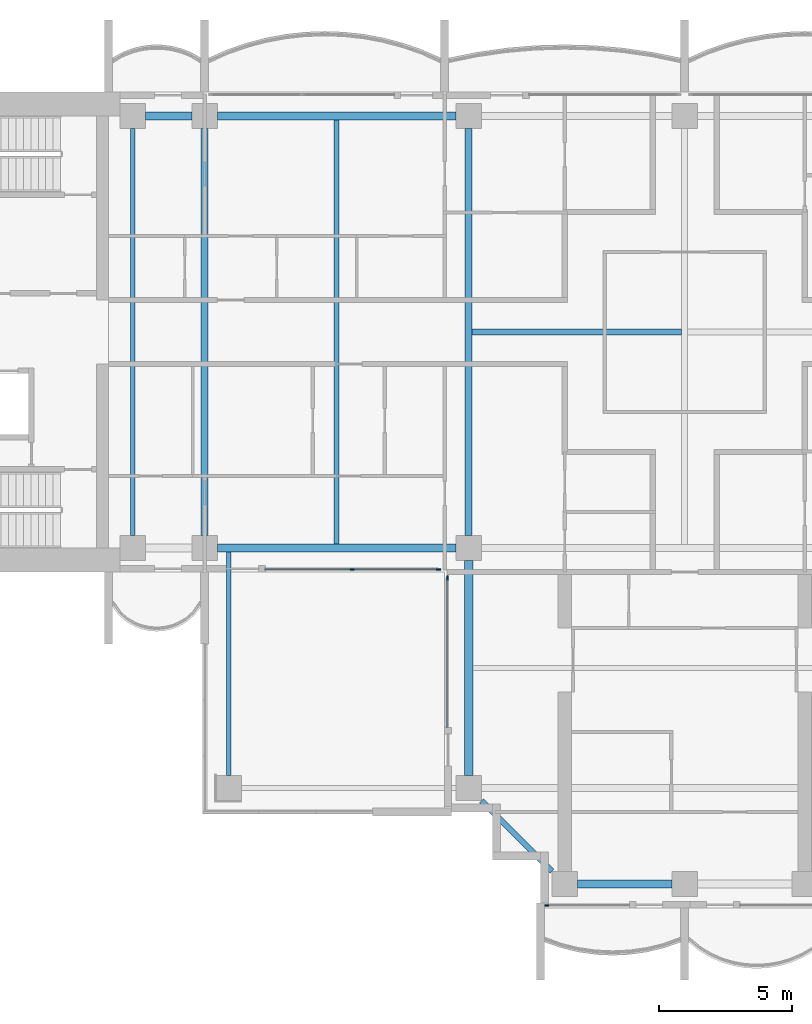
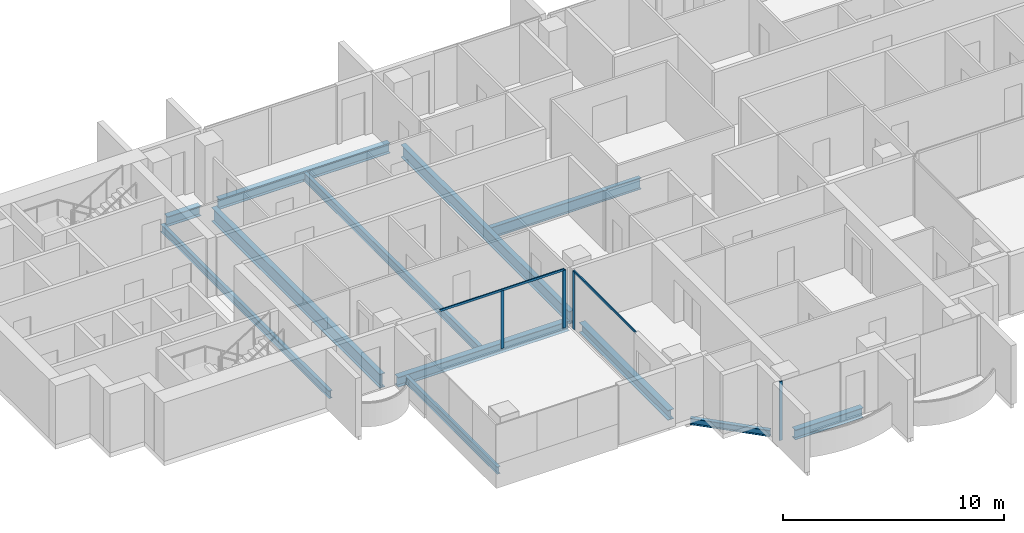
# One storey, part 2 of 17: 12 beams, 6 members, 3 elements without a shape of their own.
"""IFC4 building model written with IfcOpenShell, lengths in metres."""

from ifc_helpers import new_model, si_unit, direction, frame, origin, origin_2d, place, context, subcontext, project, spatial, rectangle, i_section, extrude, material, material_profile, profile_set, type_object, element, aggregate, save


model = new_model("IFC4")

# Units and contexts
model_context = context("Model", 3, precision=1e-05, world=origin(), true_north=direction((0.0, 1.0)))
body_context = subcontext(model_context, "Body", "Model", "MODEL_VIEW")
ifc_project = project(units=[si_unit("LENGTHUNIT", "METRE"), si_unit("AREAUNIT", "SQUARE_METRE"), si_unit("VOLUMEUNIT", "CUBIC_METRE"), si_unit("PLANEANGLEUNIT", "RADIAN"), si_unit("MASSUNIT", "GRAM", prefix="KILO")], contexts=[model_context])

# Site, building, storey
site_placement = place(None, origin())
site = spatial("IfcSite", under=ifc_project, at=site_placement, CompositionType="ELEMENT")
building_placement = place(site_placement, origin())
building = spatial("IfcBuilding", under=site, at=building_placement, Name="Perihelion Cross Residences", CompositionType="ELEMENT")
storey_placement = place(building_placement, frame((0.0, 0.0, 212.10009765625)))
storey = spatial("IfcBuildingStorey", under=building, at=storey_placement, Name="L53", CompositionType="ELEMENT", Elevation=212.10009765625)

# Curtain wall, members
ifc_material_1 = material(Name="Bronze anodised aluminium, tinted glazing", Category="aluminium")
curtain_wall_type = type_object("IfcCurtainWallType", Name="CW1", PredefinedType="NOTDEFINED", material=ifc_material_1)
curtain_wall_1_placement = place(storey_placement, origin())
curtain_wall_1 = element("IfcCurtainWall", 1, at=curtain_wall_1_placement, inside=storey, type_object=curtain_wall_type, Name="Curtain wall CW1 L53 west side south bay 2", PredefinedType="NOTDEFINED")
ifc_material_2 = material(Name="Bronze anodised aluminium", Category="aluminium")
ifc_material_profile_1 = material_profile(ifc_material_2, rectangle(XDim=0.06005859375, YDim=0.159912109375, at=origin_2d()), Name="CW1 mullion")
ifc_profile_set_1 = profile_set([ifc_material_profile_1], Name="Bronze anodised aluminium")
member_type_1 = type_object("IfcMemberType", Name="CW1 mullion", PredefinedType="MULLION", material=ifc_profile_set_1)
member_1_placement = place(storey_placement, frame((-12.46240234375, -8.89990234375, 0.0), z_axis=(0.0, 0.0, 1.0), x_axis=(0.0, 1.0, 0.0)))
member_1 = element("IfcMember", 2, at=member_1_placement, type_object=member_type_1, Name="CW1 mullion 2", PredefinedType="MULLION", context=body_context, shape_type="SweptSolid", body=[
    extrude(rectangle(XDim=0.06005859375, YDim=0.159912109375, at=origin_2d()), origin(), (0.0, 0.0, 1.0), 3.18994140625),
])
member_2_placement = place(storey_placement, frame((-9.22998046875, -8.89990234375, 0.0), z_axis=(0.0, 0.0, 1.0), x_axis=(0.0, 1.0, 0.0)))
member_2 = element("IfcMember", 3, at=member_2_placement, type_object=member_type_1, Name="CW1 mullion 3", PredefinedType="MULLION", context=body_context, shape_type="SweptSolid", body=[
    extrude(rectangle(XDim=0.06005859375, YDim=0.159912109375, at=origin_2d()), origin(), (0.0, 0.0, 1.0), 3.18994140625),
])

# Curtain wall, member
curtain_wall_2_placement = place(storey_placement, origin())
curtain_wall_2 = element("IfcCurtainWall", 4, at=curtain_wall_2_placement, inside=storey, type_object=curtain_wall_type, Name="Curtain wall CW1 L53 south side west bay 1", PredefinedType="NOTDEFINED")
member_3_placement = place(storey_placement, frame((-8.89990234375, -9.22998046875, 0.0), z_axis=(0.0, 0.0, 1.0), x_axis=(1.0, 0.0, 0.0)))
member_3 = element("IfcMember", 5, at=member_3_placement, type_object=member_type_1, Name="CW1 mullion 1", PredefinedType="MULLION", context=body_context, shape_type="SweptSolid", body=[
    extrude(rectangle(XDim=0.06005859375, YDim=0.159912109375, at=origin_2d()), origin(), (0.0, 0.0, 1.0), 3.18994140625),
])

curtain_wall_3_placement = place(storey_placement, origin())
curtain_wall_3 = element("IfcCurtainWall", 6, at=curtain_wall_3_placement, inside=storey, type_object=curtain_wall_type, Name="Curtain wall CW1 L53 south tip south bay 1", PredefinedType="NOTDEFINED")
member_4_placement = place(storey_placement, frame((-5.169921875, -21.5, 0.0), z_axis=(0.0, 0.0, 1.0), x_axis=(0.0, 1.0, 0.0)))
member_4 = element("IfcMember", 7, at=member_4_placement, type_object=member_type_1, Name="CW1 mullion 1", PredefinedType="MULLION", context=body_context, shape_type="SweptSolid", body=[
    extrude(rectangle(XDim=0.06005859375, YDim=0.159912109375, at=origin_2d()), origin(), (0.0, 0.0, 1.0), 3.25),
])
aggregate(curtain_wall_3, [member_4])

# Member
ifc_material_3 = material(Name="Bronze anodised aluminium", Category="aluminium")
ifc_material_profile_2 = material_profile(ifc_material_3, rectangle(XDim=0.06005859375, YDim=0.1201171875, at=origin_2d()), Name="CW1 transom")
ifc_profile_set_2 = profile_set([ifc_material_profile_2], Name="Bronze anodised aluminium")
member_type_2 = type_object("IfcMemberType", Name="CW1 transom", PredefinedType="USERDEFINED", material=ifc_profile_set_2)
member_5_placement = place(storey_placement, frame((-15.72509765625, -8.89990234375, 3.219970703125), z_axis=(1.0, 0.0, 0.0), x_axis=(0.0, 1.0, 0.0)))
member_5 = element("IfcMember", 8, at=member_5_placement, type_object=member_type_2, Name="CW1 head transom", ObjectType="TRANSOM", PredefinedType="USERDEFINED", context=body_context, shape_type="SweptSolid", body=[
    extrude(rectangle(XDim=0.06005859375, YDim=0.1201171875, at=origin_2d()), origin(), (0.0, 0.0, 1.0), 6.4951171875),
])

aggregate(curtain_wall_1, [member_1, member_2, member_5])

member_6_placement = place(storey_placement, frame((-8.89990234375, -9.22998046875, 3.219970703125), z_axis=(0.0, -1.0, 0.0), x_axis=(1.0, 0.0, 0.0)))
member_6 = element("IfcMember", 9, at=member_6_placement, type_object=member_type_2, Name="CW1 head transom", ObjectType="TRANSOM", PredefinedType="USERDEFINED", context=body_context, shape_type="SweptSolid", body=[
    extrude(rectangle(XDim=0.06005859375, YDim=0.1201171875, at=origin_2d()), origin(), (0.0, 0.0, 1.0), 5.594970703125),
])

aggregate(curtain_wall_2, [member_3, member_6])

# Beams
ifc_material_4 = material(Name="Steel S355", Category="steel")
ifc_material_profile_3 = material_profile(ifc_material_4, i_section(OverallWidth=0.177978515625, OverallDepth=0.406005859375, WebThickness=0.0078125, FlangeThickness=0.0126953125, at=origin_2d()), Name="W410x60")
ifc_profile_set_3 = profile_set([ifc_material_profile_3], Name="Steel S355")
beam_type_1 = type_object("IfcBeamType", Name="Core edge beam W410x60", PredefinedType="BEAM", material=ifc_profile_set_3)
beam_1_placement = place(storey_placement, frame((-17.10009765625, -8.256103515625, -0.453125), z_axis=(0.0, -1.0, 0.0), x_axis=(1.0, 0.0, 0.0)))
element("IfcBeam", 10, at=beam_1_placement, inside=storey, type_object=beam_type_1, Name="Core edge beam TB2 L53 corner no. 1", PredefinedType="BEAM", context=body_context, shape_type="SweptSolid", body=[
    extrude(i_section(OverallWidth=0.177978515625, OverallDepth=0.406005859375, WebThickness=0.0078125, FlangeThickness=0.0126953125, at=origin_2d()), origin(), (0.0, 0.0, 1.0), 8.368896484375),
])
ifc_material_5 = material(Name="Steel S355", Category="steel")
ifc_material_profile_4 = material_profile(ifc_material_5, i_section(OverallWidth=0.180908203125, OverallDepth=0.4169921875, WebThickness=0.010986328125, FlangeThickness=0.018310546875, at=origin_2d()), Name="W410x85")
ifc_profile_set_4 = profile_set([ifc_material_profile_4], Name="Steel S355")
beam_type_2 = type_object("IfcBeamType", Name="Core edge beam W410x85", PredefinedType="BEAM", material=ifc_profile_set_4)
beam_2_placement = place(storey_placement, frame((-20.699951171875, -7.625, -0.45849609375), z_axis=(0.0, 1.0, 0.0), x_axis=(-1.0, 0.0, 0.0)))
element("IfcBeam", 11, at=beam_2_placement, inside=storey, type_object=beam_type_2, Name="Core edge beam TB6 L53 no. 1", PredefinedType="BEAM", context=body_context, shape_type="SweptSolid", body=[
    extrude(i_section(OverallWidth=0.180908203125, OverallDepth=0.4169921875, WebThickness=0.010986328125, FlangeThickness=0.018310546875, at=origin_2d()), origin(), (0.0, 0.0, 1.0), 15.25),
])
ifc_material_6 = material(Name="Steel S355", Category="steel")
ifc_material_profile_5 = material_profile(ifc_material_6, i_section(OverallWidth=0.31201171875, OverallDepth=0.5439453125, WebThickness=0.0126953125, FlangeThickness=0.020263671875, at=origin_2d()), Name="W530x150")
ifc_profile_set_5 = profile_set([ifc_material_profile_5], Name="Steel S355")
beam_type_3 = type_object("IfcBeamType", Name="Edge beam W530x150", PredefinedType="SPANDREL", material=ifc_profile_set_5)
beam_3_placement = place(storey_placement, frame((-8.574951171875, 8.10009765625, -0.522216796875), z_axis=(-1.0, 0.0, 0.0), x_axis=(0.0, -1.0, 0.0)))
element("IfcBeam", 12, at=beam_3_placement, inside=storey, type_object=beam_type_3, Name="Edge beam SB4 L53 no. 6", PredefinedType="SPANDREL", context=body_context, shape_type="SweptSolid", body=[
    extrude(i_section(OverallWidth=0.31201171875, OverallDepth=0.5439453125, WebThickness=0.0126953125, FlangeThickness=0.020263671875, at=origin_2d()), origin(), (0.0, 0.0, 1.0), 8.949951171875),
])
beam_4_placement = place(storey_placement, frame((-18.47509765625, 8.10009765625, -0.522216796875), z_axis=(-1.0, 0.0, 0.0), x_axis=(0.0, -1.0, 0.0)))
element("IfcBeam", 13, at=beam_4_placement, inside=storey, type_object=beam_type_3, Name="Edge beam SB4 L53 no. 2", PredefinedType="SPANDREL", context=body_context, shape_type="SweptSolid", body=[
    extrude(i_section(OverallWidth=0.31201171875, OverallDepth=0.5439453125, WebThickness=0.0126953125, FlangeThickness=0.020263671875, at=origin_2d()), origin(), (0.0, 0.0, 1.0), 1.75),
])
beam_5_placement = place(storey_placement, frame((-17.52490234375, -8.10009765625, -0.522216796875), z_axis=(1.0, 0.0, 0.0), x_axis=(0.0, 1.0, 0.0)))
element("IfcBeam", 14, at=beam_5_placement, inside=storey, type_object=beam_type_3, Name="Edge beam SB4 L53 no. 1", PredefinedType="SPANDREL", context=body_context, shape_type="SweptSolid", body=[
    extrude(i_section(OverallWidth=0.31201171875, OverallDepth=0.5439453125, WebThickness=0.0126953125, FlangeThickness=0.020263671875, at=origin_2d()), origin(), (0.0, 0.0, 1.0), 8.949951171875),
])
beam_6_placement = place(storey_placement, frame((-8.10009765625, -8.574951171875, -0.522216796875), z_axis=(0.0, -1.0, 0.0), x_axis=(1.0, 0.0, 0.0)))
element("IfcBeam", 15, at=beam_6_placement, inside=storey, type_object=beam_type_3, Name="Edge beam SB4 L53 no. 5", PredefinedType="SPANDREL", context=body_context, shape_type="SweptSolid", body=[
    extrude(i_section(OverallWidth=0.31201171875, OverallDepth=0.5439453125, WebThickness=0.0126953125, FlangeThickness=0.020263671875, at=origin_2d()), origin(), (0.0, 0.0, 1.0), 8.050048828125),
])
beam_7_placement = place(storey_placement, frame((-4.02490234375, -20.699951171875, -0.522216796875), z_axis=(1.0, 0.0, 0.0), x_axis=(0.0, 1.0, 0.0)))
element("IfcBeam", 16, at=beam_7_placement, inside=storey, type_object=beam_type_3, Name="Edge beam SB4 L53 no. 4", PredefinedType="SPANDREL", context=body_context, shape_type="SweptSolid", body=[
    extrude(i_section(OverallWidth=0.31201171875, OverallDepth=0.5439453125, WebThickness=0.0126953125, FlangeThickness=0.020263671875, at=origin_2d()), origin(), (0.0, 0.0, 1.0), 3.5498046875),
])
ifc_material_7 = material(Name="Steel S355", Category="steel")
ifc_material_profile_6 = material_profile(ifc_material_7, i_section(OverallWidth=0.26708984375, OverallDepth=0.77001953125, WebThickness=0.015625, FlangeThickness=0.025390625, at=origin_2d()), Name="W760x196")
ifc_profile_set_6 = profile_set([ifc_material_profile_6], Name="Steel S355")
beam_type_4 = type_object("IfcBeamType", Name="Floor girder W760x196", PredefinedType="BEAM", material=ifc_profile_set_6)
beam_8_placement = place(storey_placement, frame((-18.0, -7.625, -0.635009765625), z_axis=(0.0, 1.0, 0.0), x_axis=(-1.0, 0.0, 0.0)))
element("IfcBeam", 17, at=beam_8_placement, inside=storey, type_object=beam_type_4, Name="Girder G4 L53 no. 1", PredefinedType="BEAM", context=body_context, shape_type="SweptSolid", body=[
    extrude(i_section(OverallWidth=0.26708984375, OverallDepth=0.77001953125, WebThickness=0.015625, FlangeThickness=0.025390625, at=origin_2d()), origin(), (0.0, 0.0, 1.0), 15.25),
])
ifc_material_8 = material(Name="Steel S355", Category="steel")
ifc_material_profile_7 = material_profile(ifc_material_8, i_section(OverallWidth=0.19091796875, OverallDepth=0.45703125, WebThickness=0.009033203125, FlangeThickness=0.014404296875, at=origin_2d()), Name="W460x74")
ifc_profile_set_7 = profile_set([ifc_material_profile_7], Name="Steel S355")
beam_type_5 = type_object("IfcBeamType", Name="Floor joist W460x74", PredefinedType="JOIST", material=ifc_profile_set_7)
beam_9_placement = place(storey_placement, frame((-13.050048828125, -7.944091796875, -0.478515625), z_axis=(0.0, 1.0, 0.0), x_axis=(-1.0, 0.0, 0.0)))
element("IfcBeam", 18, at=beam_9_placement, inside=storey, type_object=beam_type_5, Name="Joist J5 L53 no. 1", PredefinedType="JOIST", context=body_context, shape_type="SweptSolid", body=[
    extrude(i_section(OverallWidth=0.19091796875, OverallDepth=0.45703125, WebThickness=0.009033203125, FlangeThickness=0.014404296875, at=origin_2d()), origin(), (0.0, 0.0, 1.0), 15.88818359375),
])
ifc_material_9 = material(Name="Steel S355", Category="steel")
ifc_material_profile_8 = material_profile(ifc_material_9, i_section(OverallWidth=0.22900390625, OverallDepth=0.612060546875, WebThickness=0.011962890625, FlangeThickness=0.01953125, at=origin_2d()), Name="W610x125")
ifc_profile_set_8 = profile_set([ifc_material_profile_8], Name="Steel S355")
beam_type_6 = type_object("IfcBeamType", Name="Hub cross beam W610x125", PredefinedType="BEAM", material=ifc_profile_set_8)
beam_10_placement = place(storey_placement, frame((-7.971435546875, 0.0, -0.55615234375), z_axis=(1.0, 0.0, 0.0), x_axis=(0.0, 1.0, 0.0)))
element("IfcBeam", 19, at=beam_10_placement, inside=storey, type_object=beam_type_6, Name="Hub cross beam XB4 L53 1 no. 1", PredefinedType="BEAM", context=body_context, shape_type="SweptSolid", body=[
    extrude(i_section(OverallWidth=0.22900390625, OverallDepth=0.612060546875, WebThickness=0.011962890625, FlangeThickness=0.01953125, at=origin_2d()), origin(), (0.0, 0.0, 1.0), 7.85693359375),
])
ifc_material_10 = material(Name="Steel S355", Category="steel")
ifc_material_profile_9 = material_profile(ifc_material_10, i_section(OverallWidth=0.257080078125, OverallDepth=0.693115234375, WebThickness=0.014404296875, FlangeThickness=0.023681640625, at=origin_2d()), Name="W690x170")
ifc_profile_set_9 = profile_set([ifc_material_profile_9], Name="Steel S355")
beam_type_7 = type_object("IfcBeamType", Name="Hub ring girder W690x170", PredefinedType="BEAM", material=ifc_profile_set_9)
beam_11_placement = place(storey_placement, frame((-8.10009765625, 7.625, -0.5966796875), z_axis=(0.0, -1.0, 0.0), x_axis=(1.0, 0.0, 0.0)))
element("IfcBeam", 20, at=beam_11_placement, inside=storey, type_object=beam_type_7, Name="Hub ring girder RG4 L53 no. 2", PredefinedType="BEAM", context=body_context, shape_type="SweptSolid", body=[
    extrude(i_section(OverallWidth=0.257080078125, OverallDepth=0.693115234375, WebThickness=0.014404296875, FlangeThickness=0.023681640625, at=origin_2d()), origin(), (0.0, 0.0, 1.0), 15.25),
])
ifc_material_11 = material(Name="Steel S355", Category="steel")
ifc_material_profile_10 = material_profile(ifc_material_11, i_section(OverallWidth=0.205078125, OverallDepth=0.35302734375, WebThickness=0.009521484375, FlangeThickness=0.016845703125, at=origin_2d()), Name="W360x79")
ifc_profile_set_10 = profile_set([ifc_material_profile_10], Name="Steel S355")
beam_type_8 = type_object("IfcBeamType", Name="Serration edge beam W360x79", PredefinedType="BEAM", material=ifc_profile_set_10)
beam_12_placement = place(storey_placement, frame((-7.625, -17.574951171875, -0.426513671875), z_axis=(0.70707420838, -0.707139352493, 0.0), x_axis=(0.707139352493, 0.70707420838, 0.0)))
element("IfcBeam", 21, at=beam_12_placement, inside=storey, type_object=beam_type_8, Name="Serration edge beam EB4 L53 no. 1", PredefinedType="BEAM", context=body_context, shape_type="SweptSolid", body=[
    extrude(i_section(OverallWidth=0.205078125, OverallDepth=0.35302734375, WebThickness=0.009521484375, FlangeThickness=0.016845703125, at=origin_2d()), origin(), (0.0, 0.0, 1.0), 3.747802734375),
])

save(model, "model.ifc")
